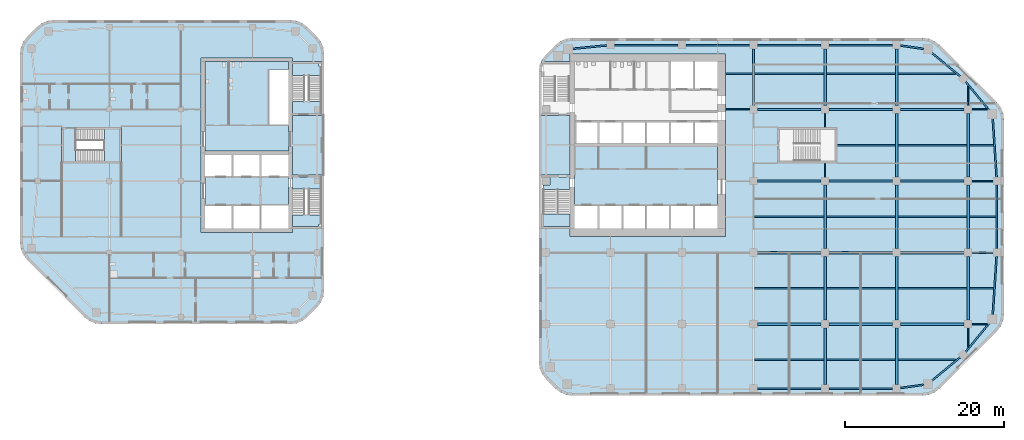
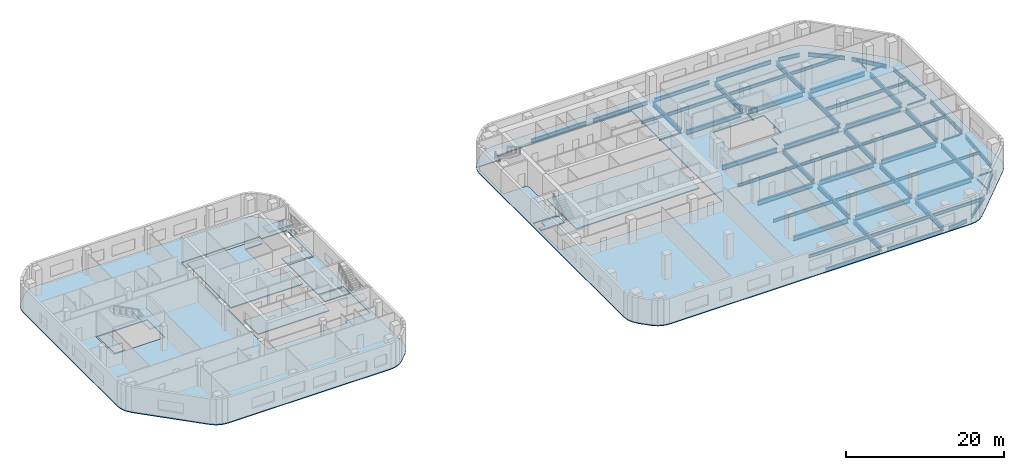
# One storey, part 3 of 15: 68 beams, 13 slabs, 4 elements without a shape of their own.
"""IFC4 building model written with IfcOpenShell, lengths in metres."""

import ifcopenshell
import ifcopenshell.guid

model = None  # the IFC model being written
_history = None  # IfcOwnerHistory: only IFC2X3 demands one
_inside = {}  # id of a spatial element -> (the spatial element, [elements in it])
_under = {}  # id of a project, library or spatial element -> (it, [spatial elements below it])
_declared = {}  # id of a project -> (the project, [libraries it declares])
_typed = {}  # id of a type object -> (the type object, [elements of that type])
_made_of = {}  # id of a material, layer set ... -> (it, [elements and type objects made of it])


def new_model(schema):
    """Start an empty IFC model of exactly this schema.

    Asked for "IFC4X3", IfcOpenShell would pick the latest addendum, in which some entities
    have other attributes; the version numbers below select the first issue.
    IFC2X3 requires an IfcOwnerHistory on every rooted entity: one is made here for all.
    """
    global model, _history
    if schema == "IFC4X3":
        model = ifcopenshell.file(schema_version=(4, 3, 0, 0))
    else:
        model = ifcopenshell.file(schema=schema)
    _inside.clear()
    _under.clear()
    _declared.clear()
    _typed.clear()
    _made_of.clear()
    _history = None
    if model.schema == "IFC2X3":
        org = make("IfcOrganization", Name="unknown")
        user = make(
            "IfcPersonAndOrganization",
            ThePerson=make("IfcPerson", FamilyName="unknown"),
            TheOrganization=org,
        )
        app = make(
            "IfcApplication",
            ApplicationDeveloper=org,
            Version="unknown",
            ApplicationFullName="unknown",
            ApplicationIdentifier="unknown",
        )
        _history = make(
            "IfcOwnerHistory",
            OwningUser=user,
            OwningApplication=app,
            ChangeAction="ADDED",
            CreationDate=0,
        )
    return model


def make(cls, **values):
    """One entity of the class cls with the attributes given. An attribute that is None is left unset."""
    return model.create_entity(
        cls, **{name: value for name, value in values.items() if value is not None}
    )


def rooted(cls, **values):
    """An entity with a GlobalId (a new one), such as an element, a storey or a relation."""
    return make(cls, GlobalId=ifcopenshell.guid.new(), OwnerHistory=_history, **values)


def si_unit(unit_type, name, prefix=None):
    """IfcSIUnit, for example si_unit("LENGTHUNIT", "METRE", prefix="MILLI")."""
    return make("IfcSIUnit", UnitType=unit_type, Prefix=prefix, Name=name)


def assignment(units):
    """IfcUnitAssignment: the units of a project."""
    return None if units is None else make("IfcUnitAssignment", Units=units)


def point(xyz):
    """IfcCartesianPoint."""
    return None if xyz is None else make("IfcCartesianPoint", Coordinates=xyz)


def direction(xyz):
    """IfcDirection."""
    return None if xyz is None else make("IfcDirection", DirectionRatios=xyz)


def frame(location, z_axis=None, x_axis=None):
    """IfcAxis2Placement3D, a coordinate frame: its origin and axes. An axis left out is left unset."""
    return make(
        "IfcAxis2Placement3D",
        Location=point(location),
        Axis=direction(z_axis),
        RefDirection=direction(x_axis),
    )


def frame_2d(location, x_axis=None):
    """IfcAxis2Placement2D, a coordinate frame in the plane: its origin and x axis."""
    return make(
        "IfcAxis2Placement2D", Location=point(location), RefDirection=direction(x_axis)
    )


def origin():
    """The frame at (0, 0, 0) with its axes left unset."""
    return frame((0.0, 0.0, 0.0))


def origin_2d():
    """The frame at (0, 0) in the plane with its x axis left unset."""
    return frame_2d((0.0, 0.0))


def place(relative_to, where):
    """IfcLocalPlacement: puts the frame where relative to a parent placement (None: the world)."""
    return make(
        "IfcLocalPlacement", PlacementRelTo=relative_to, RelativePlacement=where
    )


def context(
    kind, dimensions, precision=None, world=None, true_north=None, identifier=None
):
    """IfcGeometricRepresentationContext, for example the 3D "Model" context."""
    return make(
        "IfcGeometricRepresentationContext",
        ContextIdentifier=identifier,
        ContextType=kind,
        CoordinateSpaceDimension=dimensions,
        Precision=precision,
        WorldCoordinateSystem=world,
        TrueNorth=true_north,
    )


def subcontext(parent, identifier, kind, view, scale=None):
    """IfcGeometricRepresentationSubContext, for example "Body" below "Model"."""
    return make(
        "IfcGeometricRepresentationSubContext",
        ContextIdentifier=identifier,
        ContextType=kind,
        ParentContext=parent,
        TargetScale=scale,
        TargetView=view,
    )


def project(units=None, contexts=None):
    """IfcProject with its units and contexts."""
    return rooted(
        "IfcProject",
        Name="project",
        RepresentationContexts=contexts,
        UnitsInContext=assignment(units),
    )


def spatial(cls, under=None, at=None, **own):
    """A site, building, storey or space (cls), placed at a placement, below another one or the project."""
    s = rooted(cls, ObjectPlacement=at, **own)
    if under is not None:
        _under.setdefault(under.id(), (under, []))[1].append(s)
    return s


def polyline(points):
    """IfcPolyline through the points."""
    return make("IfcPolyline", Points=[point(p) for p in points])


def profile(cls, at=None, kind="AREA", **sizes):
    """A parametric profile (cls). Its sizes go by their IFC names, for example OverallWidth=200.0."""
    return make(cls, ProfileType=kind, Position=at, **sizes)


def i_section(**sizes):
    """IfcIShapeProfileDef."""
    return profile("IfcIShapeProfileDef", **sizes)


def outline(outer, holes=None, kind="AREA"):
    """IfcArbitraryClosedProfileDef: a profile drawn as a closed curve; with holes, ...WithVoids."""
    if holes is None:
        return make("IfcArbitraryClosedProfileDef", ProfileType=kind, OuterCurve=outer)
    return make(
        "IfcArbitraryProfileDefWithVoids",
        ProfileType=kind,
        OuterCurve=outer,
        InnerCurves=holes,
    )


def extrude(swept, where, along, depth):
    """IfcExtrudedAreaSolid: the profile swept, set in the frame where, extruded along a direction by depth."""
    return make(
        "IfcExtrudedAreaSolid",
        SweptArea=swept,
        Position=where,
        ExtrudedDirection=direction(along),
        Depth=depth,
    )


def shape(context_of_items, identifier, shape_type, items):
    """IfcShapeRepresentation: the items that make up one representation, for example the "Body"."""
    return make(
        "IfcShapeRepresentation",
        ContextOfItems=context_of_items,
        RepresentationIdentifier=identifier,
        RepresentationType=shape_type,
        Items=items,
    )


def material(Name=None, Category=None):
    """IfcMaterial."""
    return make("IfcMaterial", Name=Name, Category=Category)


def layer(
    of_material, thickness, ventilated=None, Name=None, Category=None, Priority=None
):
    """IfcMaterialLayer: one layer of a wall or slab, of a material (None: an air gap)."""
    return make(
        "IfcMaterialLayer",
        Material=of_material,
        LayerThickness=thickness,
        IsVentilated=ventilated,
        Name=Name,
        Category=Category,
        Priority=Priority,
    )


def layer_set(layers, Name=None):
    """IfcMaterialLayerSet."""
    return make("IfcMaterialLayerSet", MaterialLayers=layers, LayerSetName=Name)


def material_profile(
    of_material, cross_section, Name=None, Category=None, Priority=None
):
    """IfcMaterialProfile: a cross section and its material."""
    return make(
        "IfcMaterialProfile",
        Name=Name,
        Material=of_material,
        Profile=cross_section,
        Priority=Priority,
        Category=Category,
    )


def profile_set(profiles, Name=None, composite=None):
    """IfcMaterialProfileSet."""
    return make(
        "IfcMaterialProfileSet",
        Name=Name,
        MaterialProfiles=profiles,
        CompositeProfile=composite,
    )


def made_of(thing, what):
    """Note that an element or type object is made of a material, layer set ...; save() writes the relation."""
    if what is not None:
        _made_of.setdefault(what.id(), (what, []))[1].append(thing)
    return thing


def type_object(cls, material=None, **own):
    """A type object (cls), such as IfcWallType, which elements share."""
    return made_of(rooted(cls, **own), material)


def element(
    cls,
    number,
    at=None,
    inside=None,
    cuts=None,
    type_object=None,
    material=None,
    context=None,
    identifier="Body",
    shape_type=None,
    held_by="IfcProductDefinitionShape",
    body=None,
    shapes=None,
    **own,
):
    """One element of the class cls, such as IfcWall. Its Tag is "e" and its number.

    at: its placement. inside: the storey or other place that contains it. cuts: it is an
    opening in that element (IfcRelVoidsElement). A single representation is given by context,
    identifier, shape_type and body (its items); several are given by shapes. held_by: the class
    of the entity that holds the representations. save() writes the other relations.
    """
    e = rooted(cls, Tag="e%d" % number, ObjectPlacement=at, **own)
    if body is not None:
        shapes = [shape(context, identifier, shape_type, body)]
    if shapes is not None:
        e.Representation = make(held_by, Representations=shapes)
    if inside is not None:
        _inside.setdefault(inside.id(), (inside, []))[1].append(e)
    if cuts is not None:
        rooted(
            "IfcRelVoidsElement", RelatingBuildingElement=cuts, RelatedOpeningElement=e
        )
    if type_object is not None:
        _typed.setdefault(type_object.id(), (type_object, []))[1].append(e)
    return made_of(e, material)


def aggregate(whole, parts):
    """IfcRelAggregates: a whole, such as a stair, and the parts it consists of."""
    return rooted("IfcRelAggregates", RelatingObject=whole, RelatedObjects=parts)


def save(model, path):
    """Write the relations noted so far, then the file.

    IfcRelAggregates (storeys below a building ...), IfcRelContainedInSpatialStructure (elements
    in a storey), IfcRelDefinesByType, IfcRelAssociatesMaterial and IfcRelDeclares: one each for
    every whole, place, type object, material and project.
    """
    for whole, parts in _under.values():
        aggregate(whole, parts)
    for where, things in _inside.values():
        rooted(
            "IfcRelContainedInSpatialStructure",
            RelatedElements=things,
            RelatingStructure=where,
        )
    for kind, things in _typed.values():
        rooted("IfcRelDefinesByType", RelatedObjects=things, RelatingType=kind)
    for what, things in _made_of.values():
        rooted("IfcRelAssociatesMaterial", RelatedObjects=things, RelatingMaterial=what)
    for by, libraries in _declared.values():
        rooted("IfcRelDeclares", RelatingContext=by, RelatedDefinitions=libraries)
    model.write(path)


model = new_model("IFC4")

# Units and contexts
model_context = context("Model", 3, precision=1e-05, world=origin(), true_north=direction((0.0, 1.0)))
body_context = subcontext(model_context, "Body", "Model", "MODEL_VIEW")
ifc_project = project(units=[si_unit("LENGTHUNIT", "METRE"), si_unit("AREAUNIT", "SQUARE_METRE"), si_unit("VOLUMEUNIT", "CUBIC_METRE"), si_unit("PLANEANGLEUNIT", "RADIAN"), si_unit("MASSUNIT", "GRAM", prefix="KILO")], contexts=[model_context])

# Site, building, storey
site_placement = place(None, origin())
site = spatial("IfcSite", under=ifc_project, at=site_placement, CompositionType="ELEMENT")
building_placement = place(site_placement, origin())
building = spatial("IfcBuilding", under=site, at=building_placement, Name="Cinnabar Reach Civic Tower", CompositionType="ELEMENT")
storey_placement = place(building_placement, frame((0.0, 0.0, 63.0)))
storey = spatial("IfcBuildingStorey", under=building, at=storey_placement, Name="L14", CompositionType="ELEMENT", Elevation=63.0)

# Beams
ifc_material_1 = material(Name="Steel Q355B", Category="steel")
ifc_material_profile_1 = material_profile(ifc_material_1, i_section(OverallWidth=0.099, OverallDepth=0.198, WebThickness=0.0045, FlangeThickness=0.007, FilletRadius=0.013, at=origin_2d()), Name="HN200x100x5.5x8")
ifc_profile_set_1 = profile_set([ifc_material_profile_1], Name="Steel Q355B")
beam_type_1 = type_object("IfcBeamType", Name="HN200x100x5.5x8 beam R 180", PredefinedType="BEAM", material=ifc_profile_set_1)
for number, where, z_axis, x_axis, name in (
    (1, (36.0, 27.502, -0.249), (0.0, 1.0, 0.0), (-1.0, 0.0, 0.0), "Girder T1 L14 15"),
    (2, (36.0, 33.752, -0.249), (0.0, 1.0, 0.0), (-1.0, 0.0, 0.0), "Girder T1 L14 16"),
):
    element("IfcBeam", number, at=place(storey_placement, frame(where, z_axis=z_axis, x_axis=x_axis)), inside=storey, type_object=beam_type_1, Name=name, PredefinedType="BEAM", context=body_context, shape_type="SweptSolid", body=[
        extrude(i_section(OverallWidth=0.099, OverallDepth=0.198, WebThickness=0.0045, FlangeThickness=0.007, FilletRadius=0.013, at=origin_2d()), origin(), (0.0, 0.0, 1.0), 1.746),
    ])
for number, where, z_axis, x_axis, name in (
    (3, (54.0, 6.0682, -0.249), (0.0, 1.0, 0.0), (-1.0, 0.0, 0.0), "Girder T1 L14 23"),
    (4, (54.0, 36.502, -0.249), (0.0, 1.0, 0.0), (-1.0, 0.0, 0.0), "Girder T1 L14 27"),
):
    element("IfcBeam", number, at=place(storey_placement, frame(where, z_axis=z_axis, x_axis=x_axis)), inside=storey, type_object=beam_type_1, Name=name, PredefinedType="BEAM", context=body_context, shape_type="SweptSolid", body=[
        extrude(i_section(OverallWidth=0.099, OverallDepth=0.198, WebThickness=0.0045, FlangeThickness=0.007, FilletRadius=0.013, at=origin_2d()), origin(), (0.0, 0.0, 1.0), 2.4298),
    ])
ifc_material_profile_2 = material_profile(ifc_material_1, i_section(OverallWidth=0.124, OverallDepth=0.248, WebThickness=0.005, FlangeThickness=0.008, FilletRadius=0.013, at=origin_2d()), Name="HN250x125x6x9")
ifc_profile_set_2 = profile_set([ifc_material_profile_2], Name="Steel Q355B")
beam_type_2 = type_object("IfcBeamType", Name="HN250x125x6x9 beam R 180", PredefinedType="BEAM", material=ifc_profile_set_2)
beam_1_placement = place(storey_placement, frame((54.502, 9.0, -0.274), z_axis=(1.0, 0.0, 0.0), x_axis=(0.0, 1.0, 0.0)))
element("IfcBeam", 5, at=beam_1_placement, inside=storey, type_object=beam_type_2, Name="Girder T1 L14 7", PredefinedType="BEAM", context=body_context, shape_type="SweptSolid", body=[
    extrude(i_section(OverallWidth=0.124, OverallDepth=0.248, WebThickness=0.005, FlangeThickness=0.008, FilletRadius=0.013, at=origin_2d()), origin(), (0.0, 0.0, 1.0), 1.9162),
])
for number, where, z_axis, x_axis, name in (
    (6, (54.502, 18.0, -0.274), (1.0, 0.0, 0.0), (0.0, 1.0, 0.0), "Girder T1 L14 14"),
    (7, (54.502, 27.0, -0.274), (1.0, 0.0, 0.0), (0.0, 1.0, 0.0), "Girder T1 L14 19"),
):
    element("IfcBeam", number, at=place(storey_placement, frame(where, z_axis=z_axis, x_axis=x_axis)), inside=storey, type_object=beam_type_2, Name=name, PredefinedType="BEAM", context=body_context, shape_type="SweptSolid", body=[
        extrude(i_section(OverallWidth=0.124, OverallDepth=0.248, WebThickness=0.005, FlangeThickness=0.008, FilletRadius=0.013, at=origin_2d()), origin(), (0.0, 0.0, 1.0), 2.596),
    ])
beam_2_placement = place(storey_placement, frame((23.502, 36.0, -0.274), z_axis=(1.0, 0.0, 0.0), x_axis=(0.0, 1.0, 0.0)))
element("IfcBeam", 8, at=beam_2_placement, inside=storey, type_object=beam_type_2, Name="Girder T1 L14 20", PredefinedType="BEAM", context=body_context, shape_type="SweptSolid", body=[
    extrude(i_section(OverallWidth=0.124, OverallDepth=0.248, WebThickness=0.005, FlangeThickness=0.008, FilletRadius=0.013, at=origin_2d()), origin(), (0.0, 0.0, 1.0), 2.996),
])
beam_3_placement = place(storey_placement, frame((54.502, 36.0, -0.274), z_axis=(1.0, 0.0, 0.0), x_axis=(0.0, 1.0, 0.0)))
element("IfcBeam", 9, at=beam_3_placement, inside=storey, type_object=beam_type_2, Name="Girder T1 L14 24", PredefinedType="BEAM", context=body_context, shape_type="SweptSolid", body=[
    extrude(i_section(OverallWidth=0.124, OverallDepth=0.248, WebThickness=0.005, FlangeThickness=0.008, FilletRadius=0.013, at=origin_2d()), origin(), (0.0, 0.0, 1.0), 1.9162),
])
ifc_material_profile_3 = material_profile(ifc_material_1, i_section(OverallWidth=0.2, OverallDepth=0.4, WebThickness=0.008, FlangeThickness=0.013, FilletRadius=0.016, at=origin_2d()), Name="HN400x200x8x13")
ifc_profile_set_3 = profile_set([ifc_material_profile_3], Name="Steel Q355B")
beam_type_3 = type_object("IfcBeamType", Name="HN400x200x8x13 beam R 180", PredefinedType="BEAM", material=ifc_profile_set_3)
beam_4_placement = place(storey_placement, frame((54.152, 13.5, -0.35), z_axis=(1.0, 0.0, 0.0), x_axis=(0.0, 1.0, 0.0)))
element("IfcBeam", 10, at=beam_4_placement, inside=storey, type_object=beam_type_3, Name="Secondary beam T1 L14 13", PredefinedType="BEAM", context=body_context, shape_type="SweptSolid", body=[
    extrude(i_section(OverallWidth=0.2, OverallDepth=0.4, WebThickness=0.008, FlangeThickness=0.013, FilletRadius=0.016, at=origin_2d()), origin(), (0.0, 0.0, 1.0), 3.0494),
])
beam_5_placement = place(storey_placement, frame((54.152, 22.5, -0.35), z_axis=(1.0, 0.0, 0.0), x_axis=(0.0, 1.0, 0.0)))
element("IfcBeam", 11, at=beam_5_placement, inside=storey, type_object=beam_type_3, Name="Secondary beam T1 L14 18", PredefinedType="BEAM", context=body_context, shape_type="SweptSolid", body=[
    extrude(i_section(OverallWidth=0.2, OverallDepth=0.4, WebThickness=0.008, FlangeThickness=0.013, FilletRadius=0.016, at=origin_2d()), origin(), (0.0, 0.0, 1.0), 3.346),
])
beam_6_placement = place(storey_placement, frame((54.152, 31.5, -0.35), z_axis=(1.0, 0.0, 0.0), x_axis=(0.0, 1.0, 0.0)))
element("IfcBeam", 12, at=beam_6_placement, inside=storey, type_object=beam_type_3, Name="Secondary beam T1 L14 24", PredefinedType="BEAM", context=body_context, shape_type="SweptSolid", body=[
    extrude(i_section(OverallWidth=0.2, OverallDepth=0.4, WebThickness=0.008, FlangeThickness=0.013, FilletRadius=0.016, at=origin_2d()), origin(), (0.0, 0.0, 1.0), 3.0494),
])
beam_7_placement = place(storey_placement, frame((23.502, 40.5, -0.35), z_axis=(1.0, 0.0, 0.0), x_axis=(0.0, 1.0, 0.0)))
element("IfcBeam", 13, at=beam_7_placement, inside=storey, type_object=beam_type_3, Name="Secondary beam T1 L14 25", PredefinedType="BEAM", context=body_context, shape_type="SweptSolid", body=[
    extrude(i_section(OverallWidth=0.2, OverallDepth=0.4, WebThickness=0.008, FlangeThickness=0.013, FilletRadius=0.016, at=origin_2d()), origin(), (0.0, 0.0, 1.0), 3.346),
])
ifc_material_profile_4 = material_profile(ifc_material_1, i_section(OverallWidth=0.2, OverallDepth=0.5, WebThickness=0.01, FlangeThickness=0.016, FilletRadius=0.016, at=origin_2d()), Name="HN500x200x10x16")
ifc_profile_set_4 = profile_set([ifc_material_profile_4], Name="Steel Q355B")
beam_type_4 = type_object("IfcBeamType", Name="HN500x200x10x16 beam R 180", PredefinedType="BEAM", material=ifc_profile_set_4)
for number, where, z_axis, x_axis, name in (
    (14, (27.152, 4.5, -0.4), (1.0, 0.0, 0.0), (0.0, 1.0, 0.0), "Secondary beam T1 L14 4"),
    (15, (36.152, 4.5, -0.4), (1.0, 0.0, 0.0), (0.0, 1.0, 0.0), "Secondary beam T1 L14 5"),
):
    element("IfcBeam", number, at=place(storey_placement, frame(where, z_axis=z_axis, x_axis=x_axis)), inside=storey, type_object=beam_type_4, Name=name, PredefinedType="BEAM", context=body_context, shape_type="SweptSolid", body=[
        extrude(i_section(OverallWidth=0.2, OverallDepth=0.5, WebThickness=0.01, FlangeThickness=0.016, FilletRadius=0.016, at=origin_2d()), origin(), (0.0, 0.0, 1.0), 8.696),
    ])
beam_8_placement = place(storey_placement, frame((45.152, 4.5, -0.4), z_axis=(1.0, 0.0, 0.0), x_axis=(0.0, 1.0, 0.0)))
element("IfcBeam", 16, at=beam_8_placement, inside=storey, type_object=beam_type_4, Name="Secondary beam T1 L14 6", PredefinedType="BEAM", context=body_context, shape_type="SweptSolid", body=[
    extrude(i_section(OverallWidth=0.2, OverallDepth=0.5, WebThickness=0.01, FlangeThickness=0.016, FilletRadius=0.016, at=origin_2d()), origin(), (0.0, 0.0, 1.0), 7.2798),
])
for number, where, z_axis, x_axis, name in (
    (17, (27.152, 13.5, -0.4), (1.0, 0.0, 0.0), (0.0, 1.0, 0.0), "Secondary beam T1 L14 10"),
    (18, (36.152, 13.5, -0.4), (1.0, 0.0, 0.0), (0.0, 1.0, 0.0), "Secondary beam T1 L14 11"),
    (19, (45.152, 13.5, -0.4), (1.0, 0.0, 0.0), (0.0, 1.0, 0.0), "Secondary beam T1 L14 12"),
    (20, (27.152, 22.5, -0.4), (1.0, 0.0, 0.0), (0.0, 1.0, 0.0), "Secondary beam T1 L14 15"),
    (21, (36.152, 22.5, -0.4), (1.0, 0.0, 0.0), (0.0, 1.0, 0.0), "Secondary beam T1 L14 16"),
    (22, (45.152, 22.5, -0.4), (1.0, 0.0, 0.0), (0.0, 1.0, 0.0), "Secondary beam T1 L14 17"),
):
    element("IfcBeam", number, at=place(storey_placement, frame(where, z_axis=z_axis, x_axis=x_axis)), inside=storey, type_object=beam_type_4, Name=name, PredefinedType="BEAM", context=body_context, shape_type="SweptSolid", body=[
        extrude(i_section(OverallWidth=0.2, OverallDepth=0.5, WebThickness=0.01, FlangeThickness=0.016, FilletRadius=0.016, at=origin_2d()), origin(), (0.0, 0.0, 1.0), 8.696),
    ])
beam_9_placement = place(storey_placement, frame((37.502, 31.5, -0.4), z_axis=(1.0, 0.0, 0.0), x_axis=(0.0, 1.0, 0.0)))
element("IfcBeam", 23, at=beam_9_placement, inside=storey, type_object=beam_type_4, Name="Secondary beam T1 L14 22", PredefinedType="BEAM", context=body_context, shape_type="SweptSolid", body=[
    extrude(i_section(OverallWidth=0.2, OverallDepth=0.5, WebThickness=0.01, FlangeThickness=0.016, FilletRadius=0.016, at=origin_2d()), origin(), (0.0, 0.0, 1.0), 7.346),
])
for number, where, z_axis, x_axis, name in (
    (24, (45.152, 31.5, -0.4), (1.0, 0.0, 0.0), (0.0, 1.0, 0.0), "Secondary beam T1 L14 23"),
    (25, (27.152, 40.5, -0.4), (1.0, 0.0, 0.0), (0.0, 1.0, 0.0), "Secondary beam T1 L14 26"),
    (26, (36.152, 40.5, -0.4), (1.0, 0.0, 0.0), (0.0, 1.0, 0.0), "Secondary beam T1 L14 27"),
):
    element("IfcBeam", number, at=place(storey_placement, frame(where, z_axis=z_axis, x_axis=x_axis)), inside=storey, type_object=beam_type_4, Name=name, PredefinedType="BEAM", context=body_context, shape_type="SweptSolid", body=[
        extrude(i_section(OverallWidth=0.2, OverallDepth=0.5, WebThickness=0.01, FlangeThickness=0.016, FilletRadius=0.016, at=origin_2d()), origin(), (0.0, 0.0, 1.0), 8.696),
    ])
beam_10_placement = place(storey_placement, frame((45.152, 40.5, -0.4), z_axis=(1.0, 0.0, 0.0), x_axis=(0.0, 1.0, 0.0)))
element("IfcBeam", 27, at=beam_10_placement, inside=storey, type_object=beam_type_4, Name="Secondary beam T1 L14 28", PredefinedType="BEAM", context=body_context, shape_type="SweptSolid", body=[
    extrude(i_section(OverallWidth=0.2, OverallDepth=0.5, WebThickness=0.01, FlangeThickness=0.016, FilletRadius=0.016, at=origin_2d()), origin(), (0.0, 0.0, 1.0), 7.2798),
])
ifc_material_profile_5 = material_profile(ifc_material_1, i_section(OverallWidth=0.2, OverallDepth=0.6, WebThickness=0.011, FlangeThickness=0.017, FilletRadius=0.016, at=origin_2d()), Name="HN600x200x11x17")
ifc_profile_set_5 = profile_set([ifc_material_profile_5], Name="Steel Q355B")
beam_type_5 = type_object("IfcBeamType", Name="HN600x200x11x17 beam R 180", PredefinedType="BEAM", material=ifc_profile_set_5)
for number, where, z_axis, x_axis, name in (
    (28, (27.502, 0.9, -0.45), (1.0, 0.0, 0.0), (0.0, 1.0, 0.0), "Edge beam T1 L14 4"),
    (29, (36.502, 0.9, -0.45), (1.0, 0.0, 0.0), (0.0, 1.0, 0.0), "Edge beam T1 L14 5"),
):
    element("IfcBeam", number, at=place(storey_placement, frame(where, z_axis=z_axis, x_axis=x_axis)), inside=storey, type_object=beam_type_5, Name=name, PredefinedType="BEAM", context=body_context, shape_type="SweptSolid", body=[
        extrude(i_section(OverallWidth=0.2, OverallDepth=0.6, WebThickness=0.011, FlangeThickness=0.017, FilletRadius=0.016, at=origin_2d()), origin(), (0.0, 0.0, 1.0), 7.996),
    ])
beam_11_placement = place(storey_placement, frame((45.502, 0.9712, -0.45), z_axis=(0.990082238922, 0.140489003738, 0.0), x_axis=(-0.140489003738, 0.990082238922, 0.0)))
element("IfcBeam", 30, at=beam_11_placement, inside=storey, type_object=beam_type_5, Name="Edge beam T1 L14 6", PredefinedType="BEAM", context=body_context, shape_type="SweptSolid", body=[
    extrude(i_section(OverallWidth=0.2, OverallDepth=0.6, WebThickness=0.011, FlangeThickness=0.017, FilletRadius=0.016, at=origin_2d()), origin(), (0.0, 0.0, 1.0), 2.9433),
])
for number, where, z_axis, x_axis, name in (
    (31, (49.3801, 1.8507, -0.45), (0.77143827905, 0.6363041581, 0.0), (-0.6363041581, 0.77143827905, 0.0), "Edge beam T1 L14 7"),
    (32, (53.6461, 5.4789, -0.45), (0.6363041581, 0.77143827905, 0.0), (-0.77143827905, 0.6363041581, 0.0), "Edge beam T1 L14 8"),
):
    element("IfcBeam", number, at=place(storey_placement, frame(where, z_axis=z_axis, x_axis=x_axis)), inside=storey, type_object=beam_type_5, Name=name, PredefinedType="BEAM", context=body_context, shape_type="SweptSolid", body=[
        extrude(i_section(OverallWidth=0.2, OverallDepth=0.6, WebThickness=0.011, FlangeThickness=0.017, FilletRadius=0.016, at=origin_2d()), origin(), (0.0, 0.0, 1.0), 4.7198),
    ])
beam_12_placement = place(storey_placement, frame((57.0786, 10.0839, -0.45), z_axis=(0.065718615968, 0.997838195057, 0.0), x_axis=(-0.997838195057, 0.065718615968, 0.0)))
element("IfcBeam", 33, at=beam_12_placement, inside=storey, type_object=beam_type_5, Name="Edge beam T1 L14 9", PredefinedType="BEAM", context=body_context, shape_type="SweptSolid", body=[
    extrude(i_section(OverallWidth=0.2, OverallDepth=0.6, WebThickness=0.011, FlangeThickness=0.017, FilletRadius=0.016, at=origin_2d()), origin(), (0.0, 0.0, 1.0), 7.4302),
])
beam_13_placement = place(storey_placement, frame((57.6, 18.502, -0.45), z_axis=(0.0, 1.0, 0.0), x_axis=(-1.0, 0.0, 0.0)))
element("IfcBeam", 34, at=beam_13_placement, inside=storey, type_object=beam_type_5, Name="Edge beam T1 L14 10", PredefinedType="BEAM", context=body_context, shape_type="SweptSolid", body=[
    extrude(i_section(OverallWidth=0.2, OverallDepth=0.6, WebThickness=0.011, FlangeThickness=0.017, FilletRadius=0.016, at=origin_2d()), origin(), (0.0, 0.0, 1.0), 7.996),
])
beam_14_placement = place(storey_placement, frame((57.5669, 27.502, -0.45), z_axis=(-0.065718615968, 0.997838195057, 0.0), x_axis=(-0.997838195057, -0.065718615968, 0.0)))
element("IfcBeam", 35, at=beam_14_placement, inside=storey, type_object=beam_type_5, Name="Edge beam T1 L14 11", PredefinedType="BEAM", context=body_context, shape_type="SweptSolid", body=[
    extrude(i_section(OverallWidth=0.2, OverallDepth=0.6, WebThickness=0.011, FlangeThickness=0.017, FilletRadius=0.016, at=origin_2d()), origin(), (0.0, 0.0, 1.0), 7.4302),
])
for number, where, z_axis, x_axis, name in (
    (36, (56.6493, 35.8801, -0.45), (-0.6363041581, 0.77143827905, 0.0), (-0.77143827905, -0.6363041581, 0.0), "Edge beam T1 L14 12"),
    (37, (53.0211, 40.1461, -0.45), (-0.77143827905, 0.6363041581, 0.0), (-0.6363041581, -0.77143827905, 0.0), "Edge beam T1 L14 13"),
):
    element("IfcBeam", number, at=place(storey_placement, frame(where, z_axis=z_axis, x_axis=x_axis)), inside=storey, type_object=beam_type_5, Name=name, PredefinedType="BEAM", context=body_context, shape_type="SweptSolid", body=[
        extrude(i_section(OverallWidth=0.2, OverallDepth=0.6, WebThickness=0.011, FlangeThickness=0.017, FilletRadius=0.016, at=origin_2d()), origin(), (0.0, 0.0, 1.0), 4.7198),
    ])
beam_15_placement = place(storey_placement, frame((48.4161, 43.6153, -0.45), z_axis=(-0.990082238922, 0.140489003738, 0.0), x_axis=(-0.140489003738, -0.990082238922, 0.0)))
element("IfcBeam", 38, at=beam_15_placement, inside=storey, type_object=beam_type_5, Name="Edge beam T1 L14 14", PredefinedType="BEAM", context=body_context, shape_type="SweptSolid", body=[
    extrude(i_section(OverallWidth=0.2, OverallDepth=0.6, WebThickness=0.011, FlangeThickness=0.017, FilletRadius=0.016, at=origin_2d()), origin(), (0.0, 0.0, 1.0), 2.9433),
])
for number, where, z_axis, x_axis, name in (
    (39, (44.498, 44.1, -0.45), (-1.0, 0.0, 0.0), (0.0, -1.0, 0.0), "Edge beam T1 L14 15"),
    (40, (35.498, 44.1, -0.45), (-1.0, 0.0, 0.0), (0.0, -1.0, 0.0), "Edge beam T1 L14 16"),
    (41, (26.498, 44.1, -0.45), (-1.0, 0.0, 0.0), (0.0, -1.0, 0.0), "Edge beam T1 L14 17"),
    (42, (17.498, 44.1, -0.45), (-1.0, 0.0, 0.0), (0.0, -1.0, 0.0), "Edge beam T1 L14 18"),
):
    element("IfcBeam", number, at=place(storey_placement, frame(where, z_axis=z_axis, x_axis=x_axis)), inside=storey, type_object=beam_type_5, Name=name, PredefinedType="BEAM", context=body_context, shape_type="SweptSolid", body=[
        extrude(i_section(OverallWidth=0.2, OverallDepth=0.6, WebThickness=0.011, FlangeThickness=0.017, FilletRadius=0.016, at=origin_2d()), origin(), (0.0, 0.0, 1.0), 7.996),
    ])
beam_16_placement = place(storey_placement, frame((8.498, 44.0505, -0.45), z_axis=(-0.995166374533, -0.098203294236, 0.0), x_axis=(0.098203294236, -0.995166374533, 0.0)))
element("IfcBeam", 43, at=beam_16_placement, inside=storey, type_object=beam_type_5, Name="Edge beam T1 L14 19", PredefinedType="BEAM", context=body_context, shape_type="SweptSolid", body=[
    extrude(i_section(OverallWidth=0.2, OverallDepth=0.6, WebThickness=0.011, FlangeThickness=0.017, FilletRadius=0.016, at=origin_2d()), origin(), (0.0, 0.0, 1.0), 4.3705),
])
ifc_material_profile_6 = material_profile(ifc_material_1, i_section(OverallWidth=0.3, OverallDepth=0.692, WebThickness=0.013, FlangeThickness=0.02, FilletRadius=0.016, at=origin_2d()), Name="HN692x300x13x20")
ifc_profile_set_6 = profile_set([ifc_material_profile_6], Name="Steel Q355B")
beam_type_6 = type_object("IfcBeamType", Name="HN692x300x13x20 beam R 180", PredefinedType="BEAM", material=ifc_profile_set_6)
for number, where, z_axis, x_axis, name in (
    (44, (27.0, 36.502, -0.496), (0.0, 1.0, 0.0), (-1.0, 0.0, 0.0), "Girder T1 L14 11"),
    (45, (36.0, 1.402, -0.496), (0.0, 1.0, 0.0), (-1.0, 0.0, 0.0), "Girder T1 L14 12"),
):
    element("IfcBeam", number, at=place(storey_placement, frame(where, z_axis=z_axis, x_axis=x_axis)), inside=storey, type_object=beam_type_6, Name=name, PredefinedType="BEAM", context=body_context, shape_type="SweptSolid", body=[
        extrude(i_section(OverallWidth=0.3, OverallDepth=0.692, WebThickness=0.013, FlangeThickness=0.02, FilletRadius=0.016, at=origin_2d()), origin(), (0.0, 0.0, 1.0), 7.096),
    ])
for number, where, z_axis, x_axis, name in (
    (46, (36.0, 9.502, -0.496), (0.0, 1.0, 0.0), (-1.0, 0.0, 0.0), "Girder T1 L14 13"),
    (47, (36.0, 18.502, -0.496), (0.0, 1.0, 0.0), (-1.0, 0.0, 0.0), "Girder T1 L14 14"),
):
    element("IfcBeam", number, at=place(storey_placement, frame(where, z_axis=z_axis, x_axis=x_axis)), inside=storey, type_object=beam_type_6, Name=name, PredefinedType="BEAM", context=body_context, shape_type="SweptSolid", body=[
        extrude(i_section(OverallWidth=0.3, OverallDepth=0.692, WebThickness=0.013, FlangeThickness=0.02, FilletRadius=0.016, at=origin_2d()), origin(), (0.0, 0.0, 1.0), 7.996),
    ])
for number, where, z_axis, x_axis, name in (
    (48, (36.0, 36.502, -0.496), (0.0, 1.0, 0.0), (-1.0, 0.0, 0.0), "Girder T1 L14 17"),
    (49, (45.0, 1.402, -0.496), (0.0, 1.0, 0.0), (-1.0, 0.0, 0.0), "Girder T1 L14 18"),
):
    element("IfcBeam", number, at=place(storey_placement, frame(where, z_axis=z_axis, x_axis=x_axis)), inside=storey, type_object=beam_type_6, Name=name, PredefinedType="BEAM", context=body_context, shape_type="SweptSolid", body=[
        extrude(i_section(OverallWidth=0.3, OverallDepth=0.692, WebThickness=0.013, FlangeThickness=0.02, FilletRadius=0.016, at=origin_2d()), origin(), (0.0, 0.0, 1.0), 7.096),
    ])
for number, where, z_axis, x_axis, name in (
    (50, (45.0, 9.502, -0.496), (0.0, 1.0, 0.0), (-1.0, 0.0, 0.0), "Girder T1 L14 19"),
    (51, (45.0, 18.502, -0.496), (0.0, 1.0, 0.0), (-1.0, 0.0, 0.0), "Girder T1 L14 20"),
    (52, (45.0, 27.502, -0.496), (0.0, 1.0, 0.0), (-1.0, 0.0, 0.0), "Girder T1 L14 21"),
):
    element("IfcBeam", number, at=place(storey_placement, frame(where, z_axis=z_axis, x_axis=x_axis)), inside=storey, type_object=beam_type_6, Name=name, PredefinedType="BEAM", context=body_context, shape_type="SweptSolid", body=[
        extrude(i_section(OverallWidth=0.3, OverallDepth=0.692, WebThickness=0.013, FlangeThickness=0.02, FilletRadius=0.016, at=origin_2d()), origin(), (0.0, 0.0, 1.0), 7.996),
    ])
beam_17_placement = place(storey_placement, frame((45.0, 36.502, -0.496), z_axis=(0.0, 1.0, 0.0), x_axis=(-1.0, 0.0, 0.0)))
element("IfcBeam", 53, at=beam_17_placement, inside=storey, type_object=beam_type_6, Name="Girder T1 L14 22", PredefinedType="BEAM", context=body_context, shape_type="SweptSolid", body=[
    extrude(i_section(OverallWidth=0.3, OverallDepth=0.692, WebThickness=0.013, FlangeThickness=0.02, FilletRadius=0.016, at=origin_2d()), origin(), (0.0, 0.0, 1.0), 7.096),
])
for number, where, z_axis, x_axis, name in (
    (54, (54.0, 9.502, -0.496), (0.0, 1.0, 0.0), (-1.0, 0.0, 0.0), "Girder T1 L14 24"),
    (55, (54.0, 18.502, -0.496), (0.0, 1.0, 0.0), (-1.0, 0.0, 0.0), "Girder T1 L14 25"),
    (56, (54.0, 27.502, -0.496), (0.0, 1.0, 0.0), (-1.0, 0.0, 0.0), "Girder T1 L14 26"),
):
    element("IfcBeam", number, at=place(storey_placement, frame(where, z_axis=z_axis, x_axis=x_axis)), inside=storey, type_object=beam_type_6, Name=name, PredefinedType="BEAM", context=body_context, shape_type="SweptSolid", body=[
        extrude(i_section(OverallWidth=0.3, OverallDepth=0.692, WebThickness=0.013, FlangeThickness=0.02, FilletRadius=0.016, at=origin_2d()), origin(), (0.0, 0.0, 1.0), 7.996),
    ])
ifc_material_profile_7 = material_profile(ifc_material_1, i_section(OverallWidth=0.3, OverallDepth=0.7, WebThickness=0.013, FlangeThickness=0.024, FilletRadius=0.02, at=origin_2d()), Name="HN700x300x13x24")
ifc_profile_set_7 = profile_set([ifc_material_profile_7], Name="Steel Q355B")
beam_type_7 = type_object("IfcBeamType", Name="HN700x300x13x24 beam R 180", PredefinedType="BEAM", material=ifc_profile_set_7)
for number, where, z_axis, x_axis, name in (
    (57, (27.502, 9.0, -0.5), (1.0, 0.0, 0.0), (0.0, 1.0, 0.0), "Girder T1 L14 4"),
    (58, (36.502, 9.0, -0.5), (1.0, 0.0, 0.0), (0.0, 1.0, 0.0), "Girder T1 L14 5"),
    (59, (45.502, 9.0, -0.5), (1.0, 0.0, 0.0), (0.0, 1.0, 0.0), "Girder T1 L14 6"),
    (60, (27.502, 18.0, -0.5), (1.0, 0.0, 0.0), (0.0, 1.0, 0.0), "Girder T1 L14 11"),
    (61, (36.502, 18.0, -0.5), (1.0, 0.0, 0.0), (0.0, 1.0, 0.0), "Girder T1 L14 12"),
    (62, (45.502, 18.0, -0.5), (1.0, 0.0, 0.0), (0.0, 1.0, 0.0), "Girder T1 L14 13"),
    (63, (27.502, 27.0, -0.5), (1.0, 0.0, 0.0), (0.0, 1.0, 0.0), "Girder T1 L14 16"),
    (64, (36.502, 27.0, -0.5), (1.0, 0.0, 0.0), (0.0, 1.0, 0.0), "Girder T1 L14 17"),
    (65, (45.502, 27.0, -0.5), (1.0, 0.0, 0.0), (0.0, 1.0, 0.0), "Girder T1 L14 18"),
    (66, (27.502, 36.0, -0.5), (1.0, 0.0, 0.0), (0.0, 1.0, 0.0), "Girder T1 L14 21"),
    (67, (36.502, 36.0, -0.5), (1.0, 0.0, 0.0), (0.0, 1.0, 0.0), "Girder T1 L14 22"),
    (68, (45.502, 36.0, -0.5), (1.0, 0.0, 0.0), (0.0, 1.0, 0.0), "Girder T1 L14 23"),
):
    element("IfcBeam", number, at=place(storey_placement, frame(where, z_axis=z_axis, x_axis=x_axis)), inside=storey, type_object=beam_type_7, Name=name, PredefinedType="BEAM", context=body_context, shape_type="SweptSolid", body=[
        extrude(i_section(OverallWidth=0.3, OverallDepth=0.7, WebThickness=0.013, FlangeThickness=0.024, FilletRadius=0.02, at=origin_2d()), origin(), (0.0, 0.0, 1.0), 7.996),
    ])

# Slabs
ifc_material_2 = material(Name="Concrete C40", Category="concrete")
ifc_layer_1 = layer(ifc_material_2, 0.15)
ifc_layer_set_1 = layer_set([ifc_layer_1], Name="Composite floor slab 150 REI 120")
slab_type_1 = type_object("IfcSlabType", Name="Composite floor slab 150 REI 120", PredefinedType="FLOOR", material=ifc_layer_set_1)
slab_1_placement = place(storey_placement, frame((0.0, 0.0, -0.15)))
element("IfcSlab", 69, at=slab_1_placement, inside=storey, type_object=slab_type_1, Name="Composite floor slab 150 T2 L14", PredefinedType="FLOOR", context=body_context, shape_type="SweptSolid", body=[
    extrude(outline(polyline([(-64.3713, 17.1213), (-64.8481, 17.7426), (-65.1478, 18.4662), (-65.25, 19.2426), (-65.25, 43.0074), (-65.1478, 43.7838), (-64.8481, 44.5074), (-64.3713, 45.1287), (-63.1287, 46.3713), (-62.5074, 46.8481), (-61.7838, 47.1478), (-61.0074, 47.25), (-31.2426, 47.25), (-30.4662, 47.1478), (-29.7426, 46.8481), (-29.1213, 46.3713), (-27.8787, 45.1287), (-27.4019, 44.5074), (-27.1022, 43.7838), (-27.0, 43.0074), (-27.0, 13.2426), (-27.1022, 12.4662), (-27.4019, 11.7426), (-27.8787, 11.1213), (-29.1213, 9.8787), (-29.7426, 9.4019), (-30.4662, 9.1022), (-31.2426, 9.0), (-55.0074, 9.0), (-55.7838, 9.1022), (-56.5074, 9.4019), (-57.1287, 9.8787), (-64.3713, 17.1213)]), holes=[polyline([(-31.0, 27.75), (-31.0, 35.25), (-27.36, 35.25), (-27.36, 42.0), (-31.0, 42.0), (-31.0, 42.5), (-42.5, 42.5), (-42.5, 20.5), (-31.0, 20.5), (-31.0, 21.0), (-27.36, 21.0), (-27.36, 27.75), (-31.0, 27.75)]), polyline([(-60.0, 33.75), (-60.0, 29.25), (-52.5, 29.25), (-52.5, 33.75), (-60.0, 33.75)])]), origin(), (0.0, 0.0, 1.0), 0.15),
])
ifc_layer_2 = layer(ifc_material_2, 0.15)
ifc_layer_set_2 = layer_set([ifc_layer_2], Name="Composite floor slab 150 REI 150")
slab_type_2 = type_object("IfcSlabType", Name="Composite floor slab 150 REI 150", PredefinedType="FLOOR", material=ifc_layer_set_2)
slab_2_placement = place(storey_placement, frame((0.0, 0.0, -0.15)))
element("IfcSlab", 70, at=slab_2_placement, inside=storey, type_object=slab_type_2, Name="Composite floor slab 150 T1 L14", PredefinedType="FLOOR", context=body_context, shape_type="SweptSolid", body=[
    extrude(outline(polyline([(0.8787, 2.1213), (0.4019, 2.7426), (0.1022, 3.4662), (0.0, 4.2426), (0.0, 40.7574), (0.1022, 41.5338), (0.4019, 42.2574), (0.8787, 42.8787), (2.1213, 44.1213), (2.7426, 44.5981), (3.4662, 44.8978), (4.2426, 45.0), (48.2574, 45.0), (49.0338, 44.8978), (49.7574, 44.5981), (50.3787, 44.1213), (57.6213, 36.8787), (58.0981, 36.2574), (58.3978, 35.5338), (58.5, 34.7574), (58.5, 10.2426), (58.3978, 9.4662), (58.0981, 8.7426), (57.6213, 8.1213), (50.3787, 0.8787), (49.7574, 0.4019), (49.0338, 0.1022), (48.2574, 0.0), (4.2426, 0.0), (3.4662, 0.1022), (2.7426, 0.4019), (2.1213, 0.8787), (0.8787, 2.1213)]), holes=[polyline([(0.36, 21.0), (3.9, 21.0), (3.9, 20.0), (23.5, 20.0), (23.5, 43.0), (3.9, 43.0), (3.9, 42.0), (0.685, 42.0), (0.453, 41.4398), (0.36, 40.7338), (0.36, 35.25), (3.9, 35.25), (3.9, 27.75), (0.36, 27.75), (0.36, 21.0)]), polyline([(30.0, 33.75), (30.0, 29.25), (37.5, 29.25), (37.5, 33.75), (30.0, 33.75)])]), origin(), (0.0, 0.0, 1.0), 0.15),
])

# Stair, slabs
ifc_material_3 = material(Name="Concrete C40/50", Category="concrete")
stair_type_1 = type_object("IfcStairType", Name="T1 Exit stair, half-turn", PredefinedType="HALF_TURN_STAIR", material=ifc_material_3)
stair_1_placement = place(storey_placement, origin())
stair_1 = element("IfcStair", 71, at=stair_1_placement, inside=storey, type_object=stair_type_1, Name="Stair T1-S1", PredefinedType="HALF_TURN_STAIR")
ifc_layer_3 = layer(ifc_material_3, 0.2)
ifc_layer_set_3 = layer_set([ifc_layer_3], Name="T1 Stair landing 200, Concrete C40/50")
slab_type_3 = type_object("IfcSlabType", Name="T1 Stair landing 200, Concrete C40/50", PredefinedType="LANDING", material=ifc_layer_set_3)
slab_3_placement = place(storey_placement, frame((0.0, 0.0, -0.2)))
slab_3 = element("IfcSlab", 72, at=slab_3_placement, type_object=slab_type_3, Name="T1-S1 landing 1", PredefinedType="LANDING", context=body_context, shape_type="SweptSolid", body=[
    extrude(outline(polyline([(3.9, 27.5), (3.9, 25.95), (0.5, 25.95), (0.5, 26.5), (1.4, 26.5), (1.4, 27.5), (3.9, 27.5)])), origin(), (0.0, 0.0, 1.0), 0.2),
])
slab_4_placement = place(storey_placement, frame((0.0, 0.0, 1.8)))
slab_4 = element("IfcSlab", 73, at=slab_4_placement, type_object=slab_type_3, Name="T1-S1 landing 2", PredefinedType="LANDING", context=body_context, shape_type="SweptSolid", body=[
    extrude(outline(polyline([(0.6, 21.25), (0.6, 22.87), (3.9, 22.87), (3.9, 21.25), (0.6, 21.25)])), origin(), (0.0, 0.0, 1.0), 0.2),
])
aggregate(stair_1, [slab_3, slab_4])

# Slabs
ifc_layer_4 = layer(ifc_material_3, 0.15)
ifc_layer_set_4 = layer_set([ifc_layer_4], Name="T1 core floor slab 150")
slab_type_4 = type_object("IfcSlabType", Name="T1 core floor slab 150", PredefinedType="FLOOR", material=ifc_layer_set_4)
slab_5_placement = place(storey_placement, frame((0.0, 0.0, -0.15)))
element("IfcSlab", 74, at=slab_5_placement, inside=storey, type_object=slab_type_4, Name="Core floor slab L14", PredefinedType="FLOOR", context=body_context, shape_type="SweptSolid", body=[
    extrude(outline(polyline([(22.5, 24.0), (19.5, 24.0), (16.5, 24.0), (13.5, 24.0), (10.5, 24.0), (7.5, 24.0), (4.5, 24.0), (4.5, 31.5), (7.5, 31.5), (10.5, 31.5), (13.5, 31.5), (16.5, 31.5), (19.5, 31.5), (22.5, 31.5), (22.5, 24.0)])), origin(), (0.0, 0.0, 1.0), 0.15),
])
ifc_layer_5 = layer(ifc_material_2, 0.15)
ifc_layer_set_5 = layer_set([ifc_layer_5], Name="T2 Core floor slab 150")
slab_type_5 = type_object("IfcSlabType", Name="T2 Core floor slab 150", PredefinedType="FLOOR", material=ifc_layer_set_5)
slab_6_placement = place(storey_placement, frame((0.0, 0.0, -0.15)))
element("IfcSlab", 75, at=slab_6_placement, inside=storey, type_object=slab_type_5, Name="Core floor slab L14", PredefinedType="FLOOR", context=body_context, shape_type="SweptSolid", body=[
    extrude(outline(polyline([(-42.0, 42.0), (-31.5, 42.0), (-31.5, 41.0), (-34.0, 41.0), (-34.0, 34.0), (-31.5, 34.0), (-31.5, 30.75), (-42.0, 30.75), (-42.0, 42.0)])), origin(), (0.0, 0.0, 1.0), 0.15),
])
slab_7_placement = place(storey_placement, frame((0.0, 0.0, -0.15)))
element("IfcSlab", 76, at=slab_7_placement, inside=storey, type_object=slab_type_5, Name="Core floor slab L14", PredefinedType="FLOOR", context=body_context, shape_type="SweptSolid", body=[
    extrude(outline(polyline([(-35.0, 24.0), (-38.5, 24.0), (-42.0, 24.0), (-42.0, 27.5), (-38.5, 27.5), (-35.0, 27.5), (-31.5, 27.5), (-31.5, 24.0), (-35.0, 24.0)])), origin(), (0.0, 0.0, 1.0), 0.15),
])

# Stair, slabs
stair_type_2 = type_object("IfcStairType", Name="T2 Exit stair 1500", PredefinedType="HALF_TURN_STAIR", material=ifc_material_2)
stair_2_placement = place(storey_placement, origin())
stair_2 = element("IfcStair", 77, at=stair_2_placement, inside=storey, type_object=stair_type_2, Name="Exit stair 1", PredefinedType="HALF_TURN_STAIR")
ifc_layer_6 = layer(ifc_material_2, 0.2)
ifc_layer_set_6 = layer_set([ifc_layer_6], Name="T2 Stair landing 200")
slab_type_6 = type_object("IfcSlabType", Name="T2 Stair landing 200", PredefinedType="LANDING", material=ifc_layer_set_6)
slab_8_placement = place(storey_placement, frame((0.0, 0.0, -0.2)))
slab_8 = element("IfcSlab", 78, at=slab_8_placement, type_object=slab_type_6, Name="ST1 landing 1", PredefinedType="LANDING", context=body_context, shape_type="SweptSolid", body=[
    extrude(outline(polyline([(-31.0, 26.0), (-31.0, 27.5), (-27.4, 27.5), (-27.4, 26.0), (-31.0, 26.0)])), origin(), (0.0, 0.0, 1.0), 0.2),
])
slab_9_placement = place(storey_placement, frame((0.0, 0.0, 1.8)))
slab_9 = element("IfcSlab", 79, at=slab_9_placement, type_object=slab_type_6, Name="ST1 landing 2", PredefinedType="LANDING", context=body_context, shape_type="SweptSolid", body=[
    extrude(outline(polyline([(-31.0, 21.25), (-31.0, 22.75), (-27.4, 22.75), (-27.4, 21.55), (-27.7, 21.55), (-27.7, 21.25), (-31.0, 21.25)])), origin(), (0.0, 0.0, 1.0), 0.2),
])
aggregate(stair_2, [slab_8, slab_9])

stair_3_placement = place(storey_placement, origin())
stair_3 = element("IfcStair", 80, at=stair_3_placement, inside=storey, type_object=stair_type_2, Name="Exit stair 2", PredefinedType="HALF_TURN_STAIR")
slab_10_placement = place(storey_placement, frame((0.0, 0.0, -0.2)))
slab_10 = element("IfcSlab", 81, at=slab_10_placement, type_object=slab_type_6, Name="ST2 landing 1", PredefinedType="LANDING", context=body_context, shape_type="SweptSolid", body=[
    extrude(outline(polyline([(-31.0, 35.5), (-31.0, 37.0), (-27.4, 37.0), (-27.4, 35.5), (-31.0, 35.5)])), origin(), (0.0, 0.0, 1.0), 0.2),
])
slab_11_placement = place(storey_placement, frame((0.0, 0.0, 1.8)))
slab_11 = element("IfcSlab", 82, at=slab_11_placement, type_object=slab_type_6, Name="ST2 landing 2", PredefinedType="LANDING", context=body_context, shape_type="SweptSolid", body=[
    extrude(outline(polyline([(-27.4, 40.25), (-31.0, 40.25), (-31.0, 41.75), (-27.7, 41.75), (-27.7, 41.45), (-27.4, 41.45), (-27.4, 40.25)])), origin(), (0.0, 0.0, 1.0), 0.2),
])
aggregate(stair_3, [slab_10, slab_11])

stair_4_placement = place(storey_placement, origin())
stair_4 = element("IfcStair", 83, at=stair_4_placement, inside=storey, type_object=stair_type_2, Name="Exit stair 3", PredefinedType="HALF_TURN_STAIR")
slab_12_placement = place(storey_placement, frame((0.0, 0.0, -0.2)))
slab_12 = element("IfcSlab", 84, at=slab_12_placement, type_object=slab_type_6, Name="ST3 landing 1", PredefinedType="LANDING", context=body_context, shape_type="SweptSolid", body=[
    extrude(outline(polyline([(-59.75, 29.375), (-59.75, 33.625), (-58.25, 33.625), (-58.25, 29.375), (-59.75, 29.375)])), origin(), (0.0, 0.0, 1.0), 0.2),
])
slab_13_placement = place(storey_placement, frame((0.0, 0.0, 1.8)))
slab_13 = element("IfcSlab", 85, at=slab_13_placement, type_object=slab_type_6, Name="ST3 landing 2", PredefinedType="LANDING", context=body_context, shape_type="SweptSolid", body=[
    extrude(outline(polyline([(-54.65, 29.375), (-54.65, 33.625), (-52.75, 33.625), (-52.75, 29.375), (-54.65, 29.375)])), origin(), (0.0, 0.0, 1.0), 0.2),
])
aggregate(stair_4, [slab_12, slab_13])

save(model, "model.ifc")
